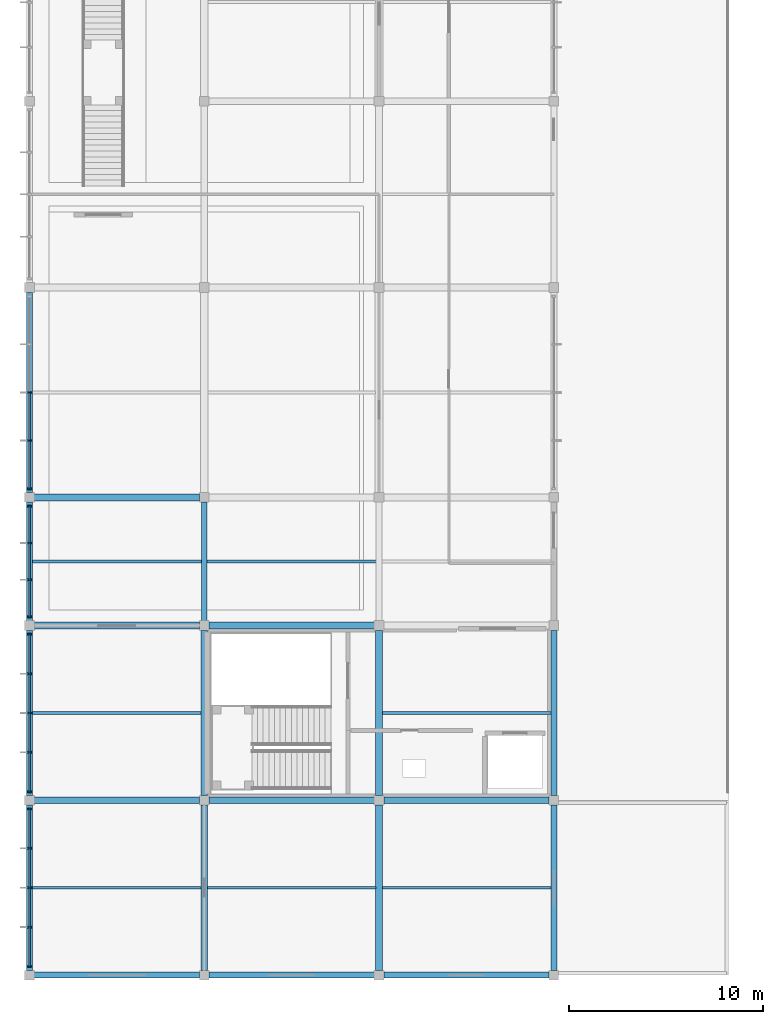
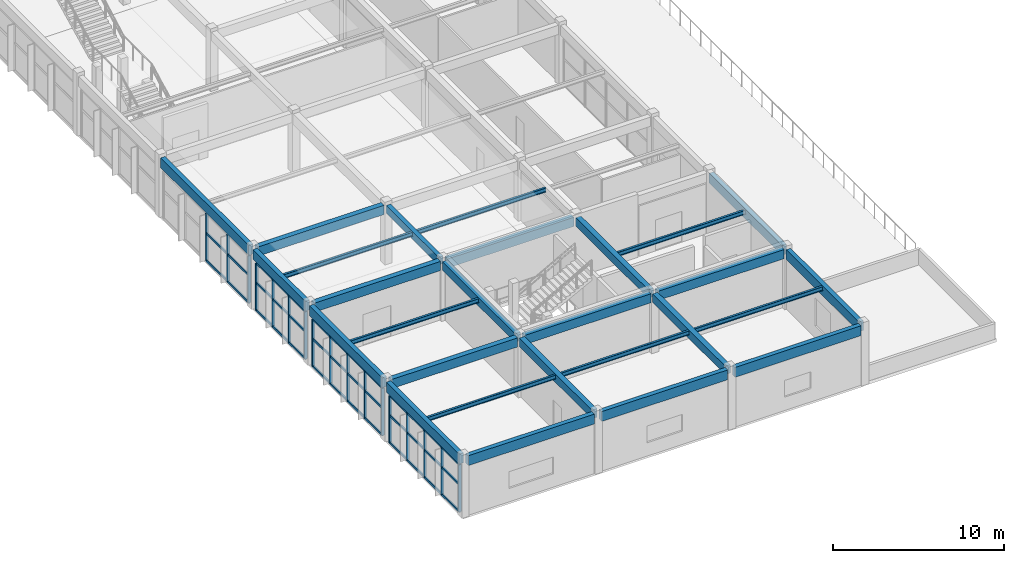
# One storey, part 3 of 22: 46 members, 27 beams, 4 elements without a shape of their own.
"""IFC4 building model written with IfcOpenShell, lengths in metres."""

from ifc_helpers import new_model, si_unit, direction, frame, origin, origin_2d, place, context, subcontext, project, spatial, rectangle, i_section, extrude, material, material_profile, profile_set, type_object, element, aggregate, save


model = new_model("IFC4")

# Units and contexts
model_context = context("Model", 3, precision=1e-05, world=origin(), true_north=direction((0.0, 1.0)))
body_context = subcontext(model_context, "Body", "Model", "MODEL_VIEW")
ifc_project = project(units=[si_unit("LENGTHUNIT", "METRE"), si_unit("AREAUNIT", "SQUARE_METRE"), si_unit("VOLUMEUNIT", "CUBIC_METRE"), si_unit("PLANEANGLEUNIT", "RADIAN"), si_unit("MASSUNIT", "GRAM", prefix="KILO")], contexts=[model_context])

# Site, building, storey
site_placement = place(None, origin())
site = spatial("IfcSite", under=ifc_project, at=site_placement, CompositionType="ELEMENT")
building_placement = place(site_placement, origin())
building = spatial("IfcBuilding", under=site, at=building_placement, Name="Suirenkawa Promenade Aquatics Centre", CompositionType="ELEMENT")
storey_placement = place(building_placement, frame((0.0, 0.0, 14.10009765625)))
storey = spatial("IfcBuildingStorey", under=building, at=storey_placement, Name="L03", CompositionType="ELEMENT", Elevation=14.10009765625)

# Beams
ifc_material_1 = material(Name="Steel IS 2062 E350 (Grade 350)", Category="steel")
ifc_material_profile_1 = material_profile(ifc_material_1, i_section(OverallWidth=0.139892578125, OverallDepth=0.300048828125, WebThickness=0.008056640625, FlangeThickness=0.012939453125, at=origin_2d()), Name="ISMB 300", Category="steel")
ifc_profile_set_1 = profile_set([ifc_material_profile_1], Name="Steel IS 2062 E350 (Grade 350)")
beam_type_1 = type_object("IfcBeamType", Name="BT-JOIST-ISMB300", PredefinedType="JOIST", material=ifc_profile_set_1)
for number, where, z_axis, x_axis, name in (
    (1, (0.14404296875, 8.699951171875, 4.097900390625), (1.0, 0.0, 0.0), (0.0, 1.0, 0.0), "Secondary floor joist JS-02 BM-0808"),
    (2, (0.14404296875, 17.699951171875, 4.097900390625), (1.0, 0.0, 0.0), (0.0, 1.0, 0.0), "Secondary floor joist JS-02 BM-0809"),
):
    element("IfcBeam", number, at=place(storey_placement, frame(where, z_axis=z_axis, x_axis=x_axis)), inside=storey, type_object=beam_type_1, Name=name, PredefinedType="JOIST", context=body_context, shape_type="SweptSolid", body=[
        extrude(i_section(OverallWidth=0.139892578125, OverallDepth=0.300048828125, WebThickness=0.008056640625, FlangeThickness=0.012939453125, at=origin_2d()), origin(), (0.0, 0.0, 1.0), 8.68701171875),
    ])
beam_1_placement = place(storey_placement, frame((0.14404296875, 25.5, 4.097900390625), z_axis=(1.0, 0.0, 0.0), x_axis=(0.0, 1.0, 0.0)))
element("IfcBeam", 3, at=beam_1_placement, inside=storey, type_object=beam_type_1, Name="Secondary floor joist JS-02 BM-0810", PredefinedType="JOIST", context=body_context, shape_type="SweptSolid", body=[
    extrude(i_section(OverallWidth=0.139892578125, OverallDepth=0.300048828125, WebThickness=0.008056640625, FlangeThickness=0.012939453125, at=origin_2d()), origin(), (0.0, 0.0, 1.0), 8.7119140625),
])
beam_2_placement = place(storey_placement, frame((9.1689453125, 8.699951171875, 4.097900390625), z_axis=(1.0, 0.0, 0.0), x_axis=(0.0, 1.0, 0.0)))
element("IfcBeam", 4, at=beam_2_placement, inside=storey, type_object=beam_type_1, Name="Secondary floor joist JS-02 BM-0817", PredefinedType="JOIST", context=body_context, shape_type="SweptSolid", body=[
    extrude(i_section(OverallWidth=0.139892578125, OverallDepth=0.300048828125, WebThickness=0.008056640625, FlangeThickness=0.012939453125, at=origin_2d()), origin(), (0.0, 0.0, 1.0), 8.662109375),
])
beam_3_placement = place(storey_placement, frame((9.14404296875, 25.5, 4.097900390625), z_axis=(1.0, 0.0, 0.0), x_axis=(0.0, 1.0, 0.0)))
element("IfcBeam", 5, at=beam_3_placement, inside=storey, type_object=beam_type_1, Name="Secondary floor joist JS-02 BM-0818", PredefinedType="JOIST", context=body_context, shape_type="SweptSolid", body=[
    extrude(i_section(OverallWidth=0.139892578125, OverallDepth=0.300048828125, WebThickness=0.008056640625, FlangeThickness=0.012939453125, at=origin_2d()), origin(), (0.0, 0.0, 1.0), 8.7119140625),
])
for number, where, z_axis, x_axis, name in (
    (6, (18.1689453125, 8.699951171875, 4.097900390625), (1.0, 0.0, 0.0), (0.0, 1.0, 0.0), "Secondary floor joist JS-02 BM-0825"),
    (7, (18.1689453125, 17.699951171875, 4.097900390625), (1.0, 0.0, 0.0), (0.0, 1.0, 0.0), "Secondary floor joist JS-02 BM-0826"),
):
    element("IfcBeam", number, at=place(storey_placement, frame(where, z_axis=z_axis, x_axis=x_axis)), inside=storey, type_object=beam_type_1, Name=name, PredefinedType="JOIST", context=body_context, shape_type="SweptSolid", body=[
        extrude(i_section(OverallWidth=0.139892578125, OverallDepth=0.300048828125, WebThickness=0.008056640625, FlangeThickness=0.012939453125, at=origin_2d()), origin(), (0.0, 0.0, 1.0), 8.68701171875),
    ])
ifc_material_2 = material(Name="Concrete M35", Category="concrete")
ifc_material_profile_2 = material_profile(ifc_material_2, rectangle(XDim=0.300048828125, YDim=0.550048828125, at=origin_2d()), Name="RC BM 300x550", Category="concrete")
ifc_profile_set_2 = profile_set([ifc_material_profile_2], Name="Concrete M35")
beam_type_2 = type_object("IfcBeamType", Name="BT-RC-300x550", PredefinedType="BEAM", material=ifc_profile_set_2)
beam_4_placement = place(storey_placement, frame((9.0, 22.444091796875, 3.974853515625), z_axis=(0.0, 1.0, 0.0), x_axis=(-1.0, 0.0, 0.0)))
element("IfcBeam", 8, at=beam_4_placement, inside=storey, type_object=beam_type_2, Name="Floor beam BM-01 BM-0780", PredefinedType="BEAM", context=body_context, shape_type="SweptSolid", body=[
    extrude(rectangle(XDim=0.300048828125, YDim=0.550048828125, at=origin_2d()), origin(), (0.0, 0.0, 1.0), 6.11181640625),
])
ifc_material_profile_3 = material_profile(ifc_material_2, rectangle(XDim=0.35009765625, YDim=0.60009765625, at=origin_2d()), Name="RC BM 350x600", Category="concrete")
ifc_profile_set_3 = profile_set([ifc_material_profile_3], Name="Concrete M35")
beam_type_3 = type_object("IfcBeamType", Name="BT-RC-350x600", PredefinedType="BEAM", material=ifc_profile_set_3)
for number, where, z_axis, x_axis, name in (
    (9, (9.0, 4.444091796875, 3.949951171875), (0.0, 1.0, 0.0), (-1.0, 0.0, 0.0), "Floor beam BM-02 BM-0778"),
    (10, (9.0, 13.444091796875, 3.949951171875), (0.0, 1.0, 0.0), (-1.0, 0.0, 0.0), "Floor beam BM-02 BM-0779"),
    (11, (18.0, 4.444091796875, 3.949951171875), (0.0, 1.0, 0.0), (-1.0, 0.0, 0.0), "Floor beam BM-02 BM-0788"),
    (12, (18.0, 13.444091796875, 3.949951171875), (0.0, 1.0, 0.0), (-1.0, 0.0, 0.0), "Floor beam BM-02 BM-0789"),
):
    element("IfcBeam", number, at=place(storey_placement, frame(where, z_axis=z_axis, x_axis=x_axis)), inside=storey, type_object=beam_type_3, Name=name, PredefinedType="BEAM", context=body_context, shape_type="SweptSolid", body=[
        extrude(rectangle(XDim=0.35009765625, YDim=0.60009765625, at=origin_2d()), origin(), (0.0, 0.0, 1.0), 8.511962890625),
    ])
ifc_material_profile_4 = material_profile(ifc_material_2, rectangle(XDim=0.35009765625, YDim=0.64990234375, at=origin_2d()), Name="RC BM 350x650", Category="concrete")
ifc_profile_set_4 = profile_set([ifc_material_profile_4], Name="Concrete M35")
beam_type_4 = type_object("IfcBeamType", Name="BT-RC-350x650", PredefinedType="BEAM", material=ifc_profile_set_4)
for number, where, z_axis, x_axis, name in (
    (13, (0.243896484375, 13.199951171875, 3.9248046875), (1.0, 0.0, 0.0), (0.0, 1.0, 0.0), "Floor beam BM-03 BM-0739"),
    (14, (9.243896484375, 13.199951171875, 3.9248046875), (1.0, 0.0, 0.0), (0.0, 1.0, 0.0), "Floor beam BM-03 BM-0740"),
    (15, (18.243896484375, 13.199951171875, 3.9248046875), (1.0, 0.0, 0.0), (0.0, 1.0, 0.0), "Floor beam BM-03 BM-0741"),
    (16, (0.243896484375, 22.199951171875, 3.9248046875), (1.0, 0.0, 0.0), (0.0, 1.0, 0.0), "Floor beam BM-03 BM-0742"),
    (17, (9.243896484375, 22.199951171875, 3.9248046875), (1.0, 0.0, 0.0), (0.0, 1.0, 0.0), "Floor beam BM-03 BM-0743"),
    (18, (0.243896484375, 28.800048828125, 3.9248046875), (1.0, 0.0, 0.0), (0.0, 1.0, 0.0), "Floor beam BM-03 BM-0745"),
):
    element("IfcBeam", number, at=place(storey_placement, frame(where, z_axis=z_axis, x_axis=x_axis)), inside=storey, type_object=beam_type_4, Name=name, PredefinedType="BEAM", context=body_context, shape_type="SweptSolid", body=[
        extrude(rectangle(XDim=0.35009765625, YDim=0.64990234375, at=origin_2d()), origin(), (0.0, 0.0, 1.0), 8.51220703125),
    ])
ifc_material_3 = material(Name="Concrete M40", Category="concrete")
ifc_material_profile_5 = material_profile(ifc_material_3, rectangle(XDim=0.300048828125, YDim=0.699951171875, at=origin_2d()), Name="RC SPANDREL 300x700", Category="concrete")
ifc_profile_set_5 = profile_set([ifc_material_profile_5], Name="Concrete M40")
beam_type_5 = type_object("IfcBeamType", Name="BT-SPANDREL-300x700", PredefinedType="SPANDREL", material=ifc_profile_set_5)
for number, where, z_axis, x_axis, name in (
    (19, (0.243896484375, 4.199951171875, 3.89990234375), (1.0, 0.0, 0.0), (0.0, 1.0, 0.0), "Floor beam SP-01 BM-0736"),
    (20, (9.243896484375, 4.199951171875, 3.89990234375), (1.0, 0.0, 0.0), (0.0, 1.0, 0.0), "Floor beam SP-01 BM-0737"),
    (21, (18.243896484375, 4.199951171875, 3.89990234375), (1.0, 0.0, 0.0), (0.0, 1.0, 0.0), "Floor beam SP-01 BM-0738"),
):
    element("IfcBeam", number, at=place(storey_placement, frame(where, z_axis=z_axis, x_axis=x_axis)), inside=storey, type_object=beam_type_5, Name=name, PredefinedType="SPANDREL", context=body_context, shape_type="SweptSolid", body=[
        extrude(rectangle(XDim=0.300048828125, YDim=0.699951171875, at=origin_2d()), origin(), (0.0, 0.0, 1.0), 8.51220703125),
    ])
for number, where, z_axis, x_axis, name in (
    (22, (0.0, 4.444091796875, 3.89990234375), (0.0, 1.0, 0.0), (-1.0, 0.0, 0.0), "Floor beam SP-01 BM-0768"),
    (23, (0.0, 13.444091796875, 3.89990234375), (0.0, 1.0, 0.0), (-1.0, 0.0, 0.0), "Floor beam SP-01 BM-0769"),
):
    element("IfcBeam", number, at=place(storey_placement, frame(where, z_axis=z_axis, x_axis=x_axis)), inside=storey, type_object=beam_type_5, Name=name, PredefinedType="SPANDREL", context=body_context, shape_type="SweptSolid", body=[
        extrude(rectangle(XDim=0.300048828125, YDim=0.699951171875, at=origin_2d()), origin(), (0.0, 0.0, 1.0), 8.511962890625),
    ])
beam_5_placement = place(storey_placement, frame((0.0, 22.444091796875, 3.89990234375), z_axis=(0.0, 1.0, 0.0), x_axis=(-1.0, 0.0, 0.0)))
element("IfcBeam", 24, at=beam_5_placement, inside=storey, type_object=beam_type_5, Name="Floor beam SP-01 BM-0770", PredefinedType="SPANDREL", context=body_context, shape_type="SweptSolid", body=[
    extrude(rectangle(XDim=0.300048828125, YDim=0.699951171875, at=origin_2d()), origin(), (0.0, 0.0, 1.0), 6.11181640625),
])
beam_6_placement = place(storey_placement, frame((0.0, 29.0439453125, 3.89990234375), z_axis=(0.0, 1.0, 0.0), x_axis=(-1.0, 0.0, 0.0)))
element("IfcBeam", 25, at=beam_6_placement, inside=storey, type_object=beam_type_5, Name="Floor beam SP-01 BM-0771", PredefinedType="SPANDREL", context=body_context, shape_type="SweptSolid", body=[
    extrude(rectangle(XDim=0.300048828125, YDim=0.699951171875, at=origin_2d()), origin(), (0.0, 0.0, 1.0), 10.31201171875),
])
for number, where, z_axis, x_axis, name in (
    (26, (27.0, 4.444091796875, 3.89990234375), (0.0, 1.0, 0.0), (-1.0, 0.0, 0.0), "Floor beam SP-01 BM-0798"),
    (27, (27.0, 13.444091796875, 3.89990234375), (0.0, 1.0, 0.0), (-1.0, 0.0, 0.0), "Floor beam SP-01 BM-0799"),
):
    element("IfcBeam", number, at=place(storey_placement, frame(where, z_axis=z_axis, x_axis=x_axis)), inside=storey, type_object=beam_type_5, Name=name, PredefinedType="SPANDREL", context=body_context, shape_type="SweptSolid", body=[
        extrude(rectangle(XDim=0.300048828125, YDim=0.699951171875, at=origin_2d()), origin(), (0.0, 0.0, 1.0), 8.511962890625),
    ])

# Curtain wall, members
ifc_material_4 = material(Name="Anodised aluminium 6063-T6", Category="aluminium")
curtain_wall_type_1 = type_object("IfcCurtainWallType", Name="CWAT-V5WL03-71", PredefinedType="NOTDEFINED", material=ifc_material_4)
curtain_wall_1_placement = place(storey_placement, origin())
curtain_wall_1 = element("IfcCurtainWall", 28, at=curtain_wall_1_placement, inside=storey, type_object=curtain_wall_type_1, Name="Curtain wall CWA-71 CW-131", PredefinedType="NOTDEFINED")
ifc_material_profile_6 = material_profile(ifc_material_4, rectangle(XDim=0.094970703125, YDim=0.18994140625, at=origin_2d()), Name="ALU MULL 95x190", Category="aluminium")
ifc_profile_set_6 = profile_set([ifc_material_profile_6], Name="Anodised aluminium 6063-T6")
member_type_1 = type_object("IfcMemberType", Name="CWM-190x95", PredefinedType="MULLION", material=ifc_profile_set_6)
member_1_placement = place(storey_placement, frame((0.0, 4.64892578125, 0.0), z_axis=(0.0, 0.0, 1.0), x_axis=(0.0, 1.0, 0.0)))
member_1 = element("IfcMember", 29, at=member_1_placement, type_object=member_type_1, Name="Mullion ML-02 CWM-02646", PredefinedType="MULLION", context=body_context, shape_type="SweptSolid", body=[
    extrude(rectangle(XDim=0.094970703125, YDim=0.18994140625, at=origin_2d()), origin(), (0.0, 0.0, 1.0), 3.369873046875),
])
member_2_placement = place(storey_placement, frame((0.0, 6.674560546875, 0.0), z_axis=(0.0, 0.0, 1.0), x_axis=(0.0, 1.0, 0.0)))
member_2 = element("IfcMember", 30, at=member_2_placement, type_object=member_type_1, Name="Mullion ML-02 CWM-02647", PredefinedType="MULLION", context=body_context, shape_type="SweptSolid", body=[
    extrude(rectangle(XDim=0.094970703125, YDim=0.18994140625, at=origin_2d()), origin(), (0.0, 0.0, 1.0), 3.369873046875),
])
member_3_placement = place(storey_placement, frame((0.0, 8.699951171875, 0.0), z_axis=(0.0, 0.0, 1.0), x_axis=(0.0, 1.0, 0.0)))
member_3 = element("IfcMember", 31, at=member_3_placement, type_object=member_type_1, Name="Mullion ML-02 CWM-02648", PredefinedType="MULLION", context=body_context, shape_type="SweptSolid", body=[
    extrude(rectangle(XDim=0.094970703125, YDim=0.18994140625, at=origin_2d()), origin(), (0.0, 0.0, 1.0), 3.369873046875),
])
member_4_placement = place(storey_placement, frame((0.0, 10.7255859375, 0.0), z_axis=(0.0, 0.0, 1.0), x_axis=(0.0, 1.0, 0.0)))
member_4 = element("IfcMember", 32, at=member_4_placement, type_object=member_type_1, Name="Mullion ML-02 CWM-02649", PredefinedType="MULLION", context=body_context, shape_type="SweptSolid", body=[
    extrude(rectangle(XDim=0.094970703125, YDim=0.18994140625, at=origin_2d()), origin(), (0.0, 0.0, 1.0), 3.369873046875),
])
member_5_placement = place(storey_placement, frame((0.0, 12.7509765625, 0.0), z_axis=(0.0, 0.0, 1.0), x_axis=(0.0, 1.0, 0.0)))
member_5 = element("IfcMember", 33, at=member_5_placement, type_object=member_type_1, Name="Mullion ML-02 CWM-02650", PredefinedType="MULLION", context=body_context, shape_type="SweptSolid", body=[
    extrude(rectangle(XDim=0.094970703125, YDim=0.18994140625, at=origin_2d()), origin(), (0.0, 0.0, 1.0), 3.369873046875),
])

curtain_wall_2_placement = place(storey_placement, origin())
curtain_wall_2 = element("IfcCurtainWall", 34, at=curtain_wall_2_placement, inside=storey, type_object=curtain_wall_type_1, Name="Curtain wall CWA-71 CW-132", PredefinedType="NOTDEFINED")
member_6_placement = place(storey_placement, frame((0.0, 13.64892578125, 0.0), z_axis=(0.0, 0.0, 1.0), x_axis=(0.0, 1.0, 0.0)))
member_6 = element("IfcMember", 35, at=member_6_placement, type_object=member_type_1, Name="Mullion ML-02 CWM-02668", PredefinedType="MULLION", context=body_context, shape_type="SweptSolid", body=[
    extrude(rectangle(XDim=0.094970703125, YDim=0.18994140625, at=origin_2d()), origin(), (0.0, 0.0, 1.0), 3.369873046875),
])
member_7_placement = place(storey_placement, frame((0.0, 15.674560546875, 0.0), z_axis=(0.0, 0.0, 1.0), x_axis=(0.0, 1.0, 0.0)))
member_7 = element("IfcMember", 36, at=member_7_placement, type_object=member_type_1, Name="Mullion ML-02 CWM-02669", PredefinedType="MULLION", context=body_context, shape_type="SweptSolid", body=[
    extrude(rectangle(XDim=0.094970703125, YDim=0.18994140625, at=origin_2d()), origin(), (0.0, 0.0, 1.0), 3.369873046875),
])
member_8_placement = place(storey_placement, frame((0.0, 17.699951171875, 0.0), z_axis=(0.0, 0.0, 1.0), x_axis=(0.0, 1.0, 0.0)))
member_8 = element("IfcMember", 37, at=member_8_placement, type_object=member_type_1, Name="Mullion ML-02 CWM-02670", PredefinedType="MULLION", context=body_context, shape_type="SweptSolid", body=[
    extrude(rectangle(XDim=0.094970703125, YDim=0.18994140625, at=origin_2d()), origin(), (0.0, 0.0, 1.0), 3.369873046875),
])
member_9_placement = place(storey_placement, frame((0.0, 19.7255859375, 0.0), z_axis=(0.0, 0.0, 1.0), x_axis=(0.0, 1.0, 0.0)))
member_9 = element("IfcMember", 38, at=member_9_placement, type_object=member_type_1, Name="Mullion ML-02 CWM-02671", PredefinedType="MULLION", context=body_context, shape_type="SweptSolid", body=[
    extrude(rectangle(XDim=0.094970703125, YDim=0.18994140625, at=origin_2d()), origin(), (0.0, 0.0, 1.0), 3.369873046875),
])
member_10_placement = place(storey_placement, frame((0.0, 21.7509765625, 0.0), z_axis=(0.0, 0.0, 1.0), x_axis=(0.0, 1.0, 0.0)))
member_10 = element("IfcMember", 39, at=member_10_placement, type_object=member_type_1, Name="Mullion ML-02 CWM-02672", PredefinedType="MULLION", context=body_context, shape_type="SweptSolid", body=[
    extrude(rectangle(XDim=0.094970703125, YDim=0.18994140625, at=origin_2d()), origin(), (0.0, 0.0, 1.0), 3.369873046875),
])

curtain_wall_type_2 = type_object("IfcCurtainWallType", Name="CWAT-V5WL03-72", PredefinedType="NOTDEFINED", material=ifc_material_4)
curtain_wall_3_placement = place(storey_placement, origin())
curtain_wall_3 = element("IfcCurtainWall", 40, at=curtain_wall_3_placement, inside=storey, type_object=curtain_wall_type_2, Name="Curtain wall CWA-72 CW-133", PredefinedType="NOTDEFINED")
member_11_placement = place(storey_placement, frame((0.0, 22.64892578125, 0.0), z_axis=(0.0, 0.0, 1.0), x_axis=(0.0, 1.0, 0.0)))
member_11 = element("IfcMember", 41, at=member_11_placement, type_object=member_type_1, Name="Mullion ML-02 CWM-02690", PredefinedType="MULLION", context=body_context, shape_type="SweptSolid", body=[
    extrude(rectangle(XDim=0.094970703125, YDim=0.18994140625, at=origin_2d()), origin(), (0.0, 0.0, 1.0), 3.369873046875),
])
member_12_placement = place(storey_placement, frame((0.0, 24.549560546875, 0.0), z_axis=(0.0, 0.0, 1.0), x_axis=(0.0, 1.0, 0.0)))
member_12 = element("IfcMember", 42, at=member_12_placement, type_object=member_type_1, Name="Mullion ML-02 CWM-02691", PredefinedType="MULLION", context=body_context, shape_type="SweptSolid", body=[
    extrude(rectangle(XDim=0.094970703125, YDim=0.18994140625, at=origin_2d()), origin(), (0.0, 0.0, 1.0), 3.369873046875),
])
member_13_placement = place(storey_placement, frame((0.0, 26.450439453125, 0.0), z_axis=(0.0, 0.0, 1.0), x_axis=(0.0, 1.0, 0.0)))
member_13 = element("IfcMember", 43, at=member_13_placement, type_object=member_type_1, Name="Mullion ML-02 CWM-02692", PredefinedType="MULLION", context=body_context, shape_type="SweptSolid", body=[
    extrude(rectangle(XDim=0.094970703125, YDim=0.18994140625, at=origin_2d()), origin(), (0.0, 0.0, 1.0), 3.369873046875),
])
member_14_placement = place(storey_placement, frame((0.0, 28.35107421875, 0.0), z_axis=(0.0, 0.0, 1.0), x_axis=(0.0, 1.0, 0.0)))
member_14 = element("IfcMember", 44, at=member_14_placement, type_object=member_type_1, Name="Mullion ML-02 CWM-02693", PredefinedType="MULLION", context=body_context, shape_type="SweptSolid", body=[
    extrude(rectangle(XDim=0.094970703125, YDim=0.18994140625, at=origin_2d()), origin(), (0.0, 0.0, 1.0), 3.369873046875),
])

curtain_wall_type_3 = type_object("IfcCurtainWallType", Name="CWAT-V5WL03-73", PredefinedType="NOTDEFINED", material=ifc_material_4)
curtain_wall_4_placement = place(storey_placement, origin())
curtain_wall_4 = element("IfcCurtainWall", 45, at=curtain_wall_4_placement, inside=storey, type_object=curtain_wall_type_3, Name="Curtain wall CWA-73 CW-134", PredefinedType="NOTDEFINED")
member_15_placement = place(storey_placement, frame((0.0, 29.2490234375, 0.0), z_axis=(0.0, 0.0, 1.0), x_axis=(0.0, 1.0, 0.0)))
member_15 = element("IfcMember", 46, at=member_15_placement, type_object=member_type_1, Name="Mullion ML-02 CWM-02707", PredefinedType="MULLION", context=body_context, shape_type="SweptSolid", body=[
    extrude(rectangle(XDim=0.094970703125, YDim=0.18994140625, at=origin_2d()), origin(), (0.0, 0.0, 1.0), 3.369873046875),
])
member_16_placement = place(storey_placement, frame((0.0, 31.724609375, 0.0), z_axis=(0.0, 0.0, 1.0), x_axis=(0.0, 1.0, 0.0)))
member_16 = element("IfcMember", 47, at=member_16_placement, type_object=member_type_1, Name="Mullion ML-02 CWM-02708", PredefinedType="MULLION", context=body_context, shape_type="SweptSolid", body=[
    extrude(rectangle(XDim=0.094970703125, YDim=0.18994140625, at=origin_2d()), origin(), (0.0, 0.0, 1.0), 3.369873046875),
])
member_17_placement = place(storey_placement, frame((0.0, 34.199951171875, 0.0), z_axis=(0.0, 0.0, 1.0), x_axis=(0.0, 1.0, 0.0)))
member_17 = element("IfcMember", 48, at=member_17_placement, type_object=member_type_1, Name="Mullion ML-02 CWM-02709", PredefinedType="MULLION", context=body_context, shape_type="SweptSolid", body=[
    extrude(rectangle(XDim=0.094970703125, YDim=0.18994140625, at=origin_2d()), origin(), (0.0, 0.0, 1.0), 3.369873046875),
])

# Member
ifc_material_profile_7 = material_profile(ifc_material_4, rectangle(XDim=0.094970703125, YDim=0.14990234375, at=origin_2d()), Name="ALU TRAN 95x150", Category="aluminium")
ifc_profile_set_7 = profile_set([ifc_material_profile_7], Name="Anodised aluminium 6063-T6")
member_type_2 = type_object("IfcMemberType", Name="CWT-150x95", PredefinedType="USERDEFINED", material=ifc_profile_set_7)
member_18_placement = place(storey_placement, frame((0.0, 4.64892578125, 0.0), z_axis=(0.0, 1.0, 0.0), x_axis=(-1.0, 0.0, 0.0)))
member_18 = element("IfcMember", 49, at=member_18_placement, type_object=member_type_2, Name="Transom TR-02 CWT-02651", ObjectType="TRANSOM", PredefinedType="USERDEFINED", context=body_context, shape_type="SweptSolid", body=[
    extrude(rectangle(XDim=0.094970703125, YDim=0.14990234375, at=origin_2d()), origin(), (0.0, 0.0, 1.0), 2.025634765625),
])

member_19_placement = place(storey_placement, frame((0.0, 6.674560546875, 0.0), z_axis=(0.0, 1.0, 0.0), x_axis=(-1.0, 0.0, 0.0)))
member_19 = element("IfcMember", 50, at=member_19_placement, type_object=member_type_2, Name="Transom TR-02 CWT-02652", ObjectType="TRANSOM", PredefinedType="USERDEFINED", context=body_context, shape_type="SweptSolid", body=[
    extrude(rectangle(XDim=0.094970703125, YDim=0.14990234375, at=origin_2d()), origin(), (0.0, 0.0, 1.0), 2.025390625),
])

member_20_placement = place(storey_placement, frame((0.0, 8.699951171875, 0.0), z_axis=(0.0, 1.0, 0.0), x_axis=(-1.0, 0.0, 0.0)))
member_20 = element("IfcMember", 51, at=member_20_placement, type_object=member_type_2, Name="Transom TR-02 CWT-02653", ObjectType="TRANSOM", PredefinedType="USERDEFINED", context=body_context, shape_type="SweptSolid", body=[
    extrude(rectangle(XDim=0.094970703125, YDim=0.14990234375, at=origin_2d()), origin(), (0.0, 0.0, 1.0), 2.025634765625),
])

member_21_placement = place(storey_placement, frame((0.0, 10.7255859375, 0.0), z_axis=(0.0, 1.0, 0.0), x_axis=(-1.0, 0.0, 0.0)))
member_21 = element("IfcMember", 52, at=member_21_placement, type_object=member_type_2, Name="Transom TR-02 CWT-02654", ObjectType="TRANSOM", PredefinedType="USERDEFINED", context=body_context, shape_type="SweptSolid", body=[
    extrude(rectangle(XDim=0.094970703125, YDim=0.14990234375, at=origin_2d()), origin(), (0.0, 0.0, 1.0), 2.025390625),
])

member_22_placement = place(storey_placement, frame((0.0, 4.64892578125, 1.949951171875), z_axis=(0.0, 1.0, 0.0), x_axis=(-1.0, 0.0, 0.0)))
member_22 = element("IfcMember", 53, at=member_22_placement, type_object=member_type_2, Name="Transom TR-02 CWT-02655", ObjectType="TRANSOM", PredefinedType="USERDEFINED", context=body_context, shape_type="SweptSolid", body=[
    extrude(rectangle(XDim=0.094970703125, YDim=0.14990234375, at=origin_2d()), origin(), (0.0, 0.0, 1.0), 2.025634765625),
])

member_23_placement = place(storey_placement, frame((0.0, 6.674560546875, 1.949951171875), z_axis=(0.0, 1.0, 0.0), x_axis=(-1.0, 0.0, 0.0)))
member_23 = element("IfcMember", 54, at=member_23_placement, type_object=member_type_2, Name="Transom TR-02 CWT-02656", ObjectType="TRANSOM", PredefinedType="USERDEFINED", context=body_context, shape_type="SweptSolid", body=[
    extrude(rectangle(XDim=0.094970703125, YDim=0.14990234375, at=origin_2d()), origin(), (0.0, 0.0, 1.0), 2.025390625),
])

member_24_placement = place(storey_placement, frame((0.0, 8.699951171875, 1.949951171875), z_axis=(0.0, 1.0, 0.0), x_axis=(-1.0, 0.0, 0.0)))
member_24 = element("IfcMember", 55, at=member_24_placement, type_object=member_type_2, Name="Transom TR-02 CWT-02657", ObjectType="TRANSOM", PredefinedType="USERDEFINED", context=body_context, shape_type="SweptSolid", body=[
    extrude(rectangle(XDim=0.094970703125, YDim=0.14990234375, at=origin_2d()), origin(), (0.0, 0.0, 1.0), 2.025634765625),
])

member_25_placement = place(storey_placement, frame((0.0, 10.7255859375, 1.949951171875), z_axis=(0.0, 1.0, 0.0), x_axis=(-1.0, 0.0, 0.0)))
member_25 = element("IfcMember", 56, at=member_25_placement, type_object=member_type_2, Name="Transom TR-02 CWT-02658", ObjectType="TRANSOM", PredefinedType="USERDEFINED", context=body_context, shape_type="SweptSolid", body=[
    extrude(rectangle(XDim=0.094970703125, YDim=0.14990234375, at=origin_2d()), origin(), (0.0, 0.0, 1.0), 2.025390625),
])

member_26_placement = place(storey_placement, frame((0.0, 4.64892578125, 3.369873046875), z_axis=(0.0, 1.0, 0.0), x_axis=(-1.0, 0.0, 0.0)))
member_26 = element("IfcMember", 57, at=member_26_placement, type_object=member_type_2, Name="Roofline transom TR-02 CWT-02659", ObjectType="TRANSOM", PredefinedType="USERDEFINED", context=body_context, shape_type="SweptSolid", body=[
    extrude(rectangle(XDim=0.094970703125, YDim=0.14990234375, at=origin_2d()), origin(), (0.0, 0.0, 1.0), 8.10205078125),
])

aggregate(curtain_wall_1, [member_1, member_2, member_3, member_4, member_5, member_18, member_19, member_20, member_21, member_22, member_23, member_24, member_25, member_26])

member_27_placement = place(storey_placement, frame((0.0, 13.64892578125, 0.0), z_axis=(0.0, 1.0, 0.0), x_axis=(-1.0, 0.0, 0.0)))
member_27 = element("IfcMember", 58, at=member_27_placement, type_object=member_type_2, Name="Transom TR-02 CWT-02673", ObjectType="TRANSOM", PredefinedType="USERDEFINED", context=body_context, shape_type="SweptSolid", body=[
    extrude(rectangle(XDim=0.094970703125, YDim=0.14990234375, at=origin_2d()), origin(), (0.0, 0.0, 1.0), 2.025634765625),
])

member_28_placement = place(storey_placement, frame((0.0, 15.674560546875, 0.0), z_axis=(0.0, 1.0, 0.0), x_axis=(-1.0, 0.0, 0.0)))
member_28 = element("IfcMember", 59, at=member_28_placement, type_object=member_type_2, Name="Transom TR-02 CWT-02674", ObjectType="TRANSOM", PredefinedType="USERDEFINED", context=body_context, shape_type="SweptSolid", body=[
    extrude(rectangle(XDim=0.094970703125, YDim=0.14990234375, at=origin_2d()), origin(), (0.0, 0.0, 1.0), 2.025390625),
])

member_29_placement = place(storey_placement, frame((0.0, 17.699951171875, 0.0), z_axis=(0.0, 1.0, 0.0), x_axis=(-1.0, 0.0, 0.0)))
member_29 = element("IfcMember", 60, at=member_29_placement, type_object=member_type_2, Name="Transom TR-02 CWT-02675", ObjectType="TRANSOM", PredefinedType="USERDEFINED", context=body_context, shape_type="SweptSolid", body=[
    extrude(rectangle(XDim=0.094970703125, YDim=0.14990234375, at=origin_2d()), origin(), (0.0, 0.0, 1.0), 2.025634765625),
])

member_30_placement = place(storey_placement, frame((0.0, 19.7255859375, 0.0), z_axis=(0.0, 1.0, 0.0), x_axis=(-1.0, 0.0, 0.0)))
member_30 = element("IfcMember", 61, at=member_30_placement, type_object=member_type_2, Name="Transom TR-02 CWT-02676", ObjectType="TRANSOM", PredefinedType="USERDEFINED", context=body_context, shape_type="SweptSolid", body=[
    extrude(rectangle(XDim=0.094970703125, YDim=0.14990234375, at=origin_2d()), origin(), (0.0, 0.0, 1.0), 2.025390625),
])

member_31_placement = place(storey_placement, frame((0.0, 13.64892578125, 1.949951171875), z_axis=(0.0, 1.0, 0.0), x_axis=(-1.0, 0.0, 0.0)))
member_31 = element("IfcMember", 62, at=member_31_placement, type_object=member_type_2, Name="Transom TR-02 CWT-02677", ObjectType="TRANSOM", PredefinedType="USERDEFINED", context=body_context, shape_type="SweptSolid", body=[
    extrude(rectangle(XDim=0.094970703125, YDim=0.14990234375, at=origin_2d()), origin(), (0.0, 0.0, 1.0), 2.025634765625),
])

member_32_placement = place(storey_placement, frame((0.0, 15.674560546875, 1.949951171875), z_axis=(0.0, 1.0, 0.0), x_axis=(-1.0, 0.0, 0.0)))
member_32 = element("IfcMember", 63, at=member_32_placement, type_object=member_type_2, Name="Transom TR-02 CWT-02678", ObjectType="TRANSOM", PredefinedType="USERDEFINED", context=body_context, shape_type="SweptSolid", body=[
    extrude(rectangle(XDim=0.094970703125, YDim=0.14990234375, at=origin_2d()), origin(), (0.0, 0.0, 1.0), 2.025390625),
])

member_33_placement = place(storey_placement, frame((0.0, 17.699951171875, 1.949951171875), z_axis=(0.0, 1.0, 0.0), x_axis=(-1.0, 0.0, 0.0)))
member_33 = element("IfcMember", 64, at=member_33_placement, type_object=member_type_2, Name="Transom TR-02 CWT-02679", ObjectType="TRANSOM", PredefinedType="USERDEFINED", context=body_context, shape_type="SweptSolid", body=[
    extrude(rectangle(XDim=0.094970703125, YDim=0.14990234375, at=origin_2d()), origin(), (0.0, 0.0, 1.0), 2.025634765625),
])

member_34_placement = place(storey_placement, frame((0.0, 19.7255859375, 1.949951171875), z_axis=(0.0, 1.0, 0.0), x_axis=(-1.0, 0.0, 0.0)))
member_34 = element("IfcMember", 65, at=member_34_placement, type_object=member_type_2, Name="Transom TR-02 CWT-02680", ObjectType="TRANSOM", PredefinedType="USERDEFINED", context=body_context, shape_type="SweptSolid", body=[
    extrude(rectangle(XDim=0.094970703125, YDim=0.14990234375, at=origin_2d()), origin(), (0.0, 0.0, 1.0), 2.025390625),
])

member_35_placement = place(storey_placement, frame((0.0, 13.64892578125, 3.369873046875), z_axis=(0.0, 1.0, 0.0), x_axis=(-1.0, 0.0, 0.0)))
member_35 = element("IfcMember", 66, at=member_35_placement, type_object=member_type_2, Name="Roofline transom TR-02 CWT-02681", ObjectType="TRANSOM", PredefinedType="USERDEFINED", context=body_context, shape_type="SweptSolid", body=[
    extrude(rectangle(XDim=0.094970703125, YDim=0.14990234375, at=origin_2d()), origin(), (0.0, 0.0, 1.0), 8.10205078125),
])

aggregate(curtain_wall_2, [member_6, member_7, member_8, member_9, member_10, member_27, member_28, member_29, member_30, member_31, member_32, member_33, member_34, member_35])

member_36_placement = place(storey_placement, frame((0.0, 22.64892578125, 0.0), z_axis=(0.0, 1.0, 0.0), x_axis=(-1.0, 0.0, 0.0)))
member_36 = element("IfcMember", 67, at=member_36_placement, type_object=member_type_2, Name="Transom TR-02 CWT-02694", ObjectType="TRANSOM", PredefinedType="USERDEFINED", context=body_context, shape_type="SweptSolid", body=[
    extrude(rectangle(XDim=0.094970703125, YDim=0.14990234375, at=origin_2d()), origin(), (0.0, 0.0, 1.0), 1.900634765625),
])

member_37_placement = place(storey_placement, frame((0.0, 24.549560546875, 0.0), z_axis=(0.0, 1.0, 0.0), x_axis=(-1.0, 0.0, 0.0)))
member_37 = element("IfcMember", 68, at=member_37_placement, type_object=member_type_2, Name="Transom TR-02 CWT-02695", ObjectType="TRANSOM", PredefinedType="USERDEFINED", context=body_context, shape_type="SweptSolid", body=[
    extrude(rectangle(XDim=0.094970703125, YDim=0.14990234375, at=origin_2d()), origin(), (0.0, 0.0, 1.0), 1.90087890625),
])

member_38_placement = place(storey_placement, frame((0.0, 26.450439453125, 0.0), z_axis=(0.0, 1.0, 0.0), x_axis=(-1.0, 0.0, 0.0)))
member_38 = element("IfcMember", 69, at=member_38_placement, type_object=member_type_2, Name="Transom TR-02 CWT-02696", ObjectType="TRANSOM", PredefinedType="USERDEFINED", context=body_context, shape_type="SweptSolid", body=[
    extrude(rectangle(XDim=0.094970703125, YDim=0.14990234375, at=origin_2d()), origin(), (0.0, 0.0, 1.0), 1.900634765625),
])

member_39_placement = place(storey_placement, frame((0.0, 22.64892578125, 1.949951171875), z_axis=(0.0, 1.0, 0.0), x_axis=(-1.0, 0.0, 0.0)))
member_39 = element("IfcMember", 70, at=member_39_placement, type_object=member_type_2, Name="Transom TR-02 CWT-02697", ObjectType="TRANSOM", PredefinedType="USERDEFINED", context=body_context, shape_type="SweptSolid", body=[
    extrude(rectangle(XDim=0.094970703125, YDim=0.14990234375, at=origin_2d()), origin(), (0.0, 0.0, 1.0), 1.900634765625),
])

member_40_placement = place(storey_placement, frame((0.0, 24.549560546875, 1.949951171875), z_axis=(0.0, 1.0, 0.0), x_axis=(-1.0, 0.0, 0.0)))
member_40 = element("IfcMember", 71, at=member_40_placement, type_object=member_type_2, Name="Transom TR-02 CWT-02698", ObjectType="TRANSOM", PredefinedType="USERDEFINED", context=body_context, shape_type="SweptSolid", body=[
    extrude(rectangle(XDim=0.094970703125, YDim=0.14990234375, at=origin_2d()), origin(), (0.0, 0.0, 1.0), 1.90087890625),
])

member_41_placement = place(storey_placement, frame((0.0, 26.450439453125, 1.949951171875), z_axis=(0.0, 1.0, 0.0), x_axis=(-1.0, 0.0, 0.0)))
member_41 = element("IfcMember", 72, at=member_41_placement, type_object=member_type_2, Name="Transom TR-02 CWT-02699", ObjectType="TRANSOM", PredefinedType="USERDEFINED", context=body_context, shape_type="SweptSolid", body=[
    extrude(rectangle(XDim=0.094970703125, YDim=0.14990234375, at=origin_2d()), origin(), (0.0, 0.0, 1.0), 1.900634765625),
])

member_42_placement = place(storey_placement, frame((0.0, 22.64892578125, 3.369873046875), z_axis=(0.0, 1.0, 0.0), x_axis=(-1.0, 0.0, 0.0)))
member_42 = element("IfcMember", 73, at=member_42_placement, type_object=member_type_2, Name="Roofline transom TR-02 CWT-02700", ObjectType="TRANSOM", PredefinedType="USERDEFINED", context=body_context, shape_type="SweptSolid", body=[
    extrude(rectangle(XDim=0.094970703125, YDim=0.14990234375, at=origin_2d()), origin(), (0.0, 0.0, 1.0), 5.7021484375),
])

aggregate(curtain_wall_3, [member_11, member_12, member_13, member_14, member_36, member_37, member_38, member_39, member_40, member_41, member_42])

member_43_placement = place(storey_placement, frame((0.0, 29.2490234375, 0.0), z_axis=(0.0, 1.0, 0.0), x_axis=(-1.0, 0.0, 0.0)))
member_43 = element("IfcMember", 74, at=member_43_placement, type_object=member_type_2, Name="Transom TR-02 CWT-02712", ObjectType="TRANSOM", PredefinedType="USERDEFINED", context=body_context, shape_type="SweptSolid", body=[
    extrude(rectangle(XDim=0.094970703125, YDim=0.14990234375, at=origin_2d()), origin(), (0.0, 0.0, 1.0), 2.4755859375),
])

member_44_placement = place(storey_placement, frame((0.0, 31.724609375, 0.0), z_axis=(0.0, 1.0, 0.0), x_axis=(-1.0, 0.0, 0.0)))
member_44 = element("IfcMember", 75, at=member_44_placement, type_object=member_type_2, Name="Transom TR-02 CWT-02713", ObjectType="TRANSOM", PredefinedType="USERDEFINED", context=body_context, shape_type="SweptSolid", body=[
    extrude(rectangle(XDim=0.094970703125, YDim=0.14990234375, at=origin_2d()), origin(), (0.0, 0.0, 1.0), 2.475341796875),
])

member_45_placement = place(storey_placement, frame((0.0, 29.2490234375, 1.949951171875), z_axis=(0.0, 1.0, 0.0), x_axis=(-1.0, 0.0, 0.0)))
member_45 = element("IfcMember", 76, at=member_45_placement, type_object=member_type_2, Name="Transom TR-02 CWT-02716", ObjectType="TRANSOM", PredefinedType="USERDEFINED", context=body_context, shape_type="SweptSolid", body=[
    extrude(rectangle(XDim=0.094970703125, YDim=0.14990234375, at=origin_2d()), origin(), (0.0, 0.0, 1.0), 2.4755859375),
])

member_46_placement = place(storey_placement, frame((0.0, 31.724609375, 1.949951171875), z_axis=(0.0, 1.0, 0.0), x_axis=(-1.0, 0.0, 0.0)))
member_46 = element("IfcMember", 77, at=member_46_placement, type_object=member_type_2, Name="Transom TR-02 CWT-02717", ObjectType="TRANSOM", PredefinedType="USERDEFINED", context=body_context, shape_type="SweptSolid", body=[
    extrude(rectangle(XDim=0.094970703125, YDim=0.14990234375, at=origin_2d()), origin(), (0.0, 0.0, 1.0), 2.475341796875),
])

aggregate(curtain_wall_4, [member_15, member_16, member_17, member_43, member_44, member_45, member_46])

save(model, "model.ifc")
